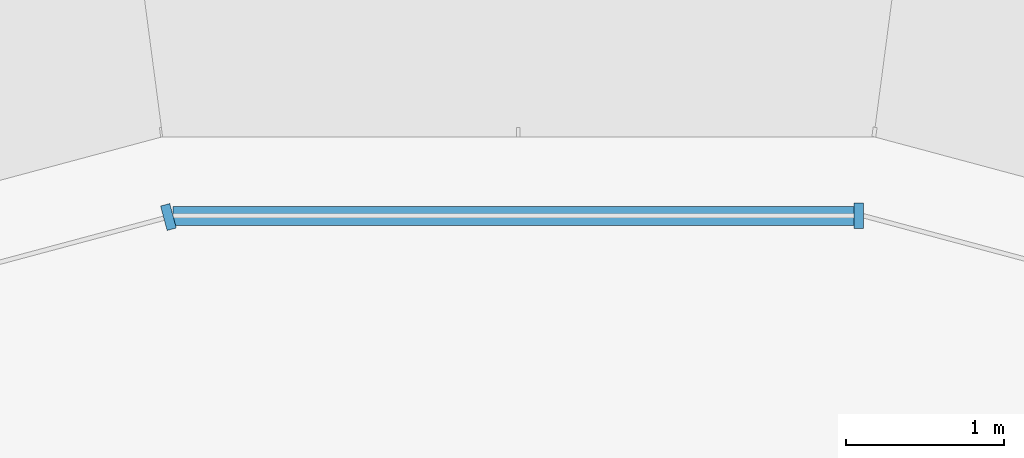
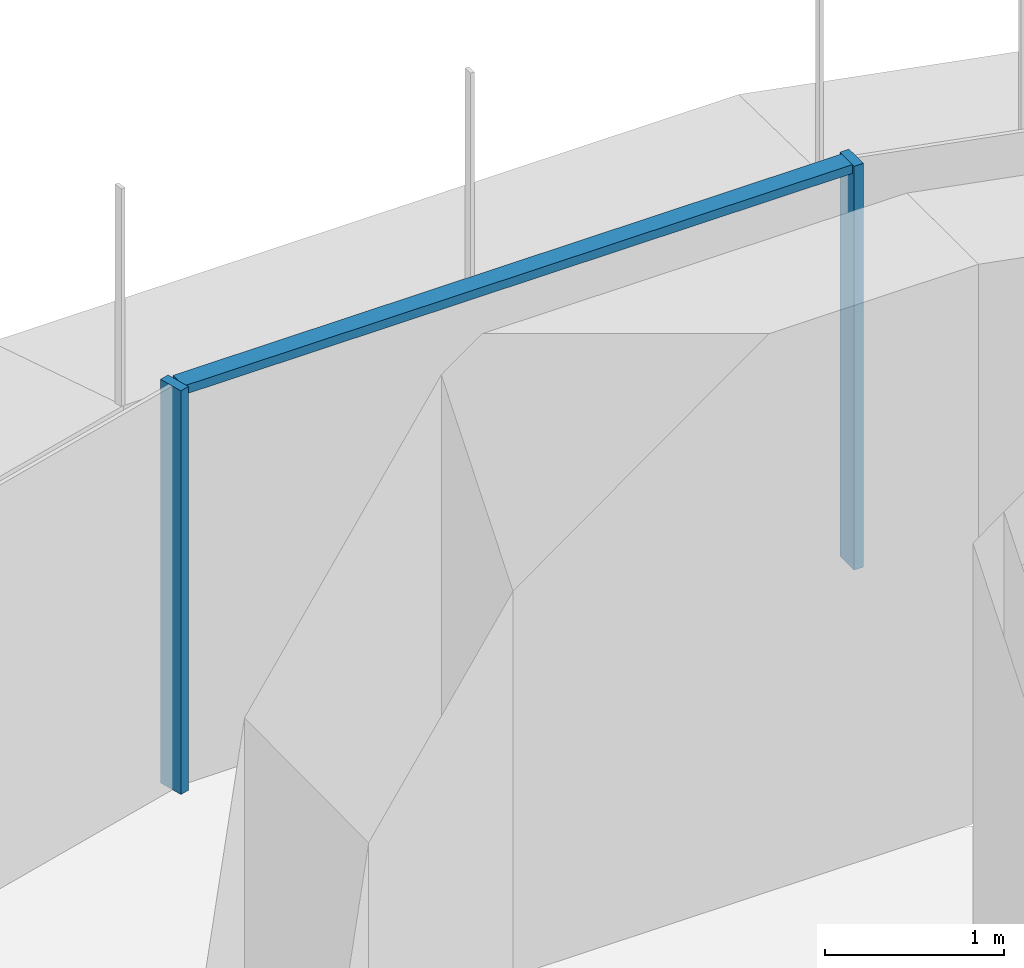
# One storey, part 11 of 22: 3 members, 2 elements without a shape of their own.
"""IFC4 building model written with IfcOpenShell, lengths in metres."""

from ifc_helpers import new_model, si_unit, direction, frame, origin, place, context, subcontext, project, spatial, polyline, outline, extrude, source, transform, mapped, material, type_object, element, aggregate, save


model = new_model("IFC4")

# Units and contexts
model_context = context("Model", 3, precision=1e-05, world=origin(), true_north=direction((0.0, 1.0)))
body_context = subcontext(model_context, "Body", "Model", "MODEL_VIEW")
ifc_project = project(units=[si_unit("LENGTHUNIT", "METRE"), si_unit("AREAUNIT", "SQUARE_METRE"), si_unit("VOLUMEUNIT", "CUBIC_METRE"), si_unit("PLANEANGLEUNIT", "RADIAN"), si_unit("MASSUNIT", "GRAM", prefix="KILO")], contexts=[model_context])

# Site, building, storey
site_placement = place(None, origin())
site = spatial("IfcSite", under=ifc_project, at=site_placement, CompositionType="ELEMENT")
building_placement = place(site_placement, origin())
building = spatial("IfcBuilding", under=site, at=building_placement, Name="Zarbagh Exchange Tower", CompositionType="ELEMENT")
storey_placement = place(building_placement, frame((0.0, 0.0, 105.60009765625)))
storey = spatial("IfcBuildingStorey", under=building, at=storey_placement, Name="L24", CompositionType="ELEMENT", Elevation=105.60009765625)

# Curtain wall, member
ifc_material_1 = material(Name="Anodised aluminium frame and glazing", Category="aluminium")
curtain_wall_type = type_object("IfcCurtainWallType", Name="CWA Ribbon glazing, lower zones", PredefinedType="NOTDEFINED", material=ifc_material_1)
curtain_wall_1_placement = place(storey_placement, origin())
curtain_wall_1 = element("IfcCurtainWall", 1, at=curtain_wall_1_placement, inside=storey, type_object=curtain_wall_type, Name="CWA57 curtain wall", PredefinedType="NOTDEFINED")
ifc_material_2 = material(Name="Anodised aluminium frame", Category="aluminium")
member_type_1 = type_object("IfcMemberType", Name="MUA Mullion, anodised aluminium frame", PredefinedType="MULLION", material=ifc_material_2)
shared_shape_1 = source(origin(), body_context, "Body", "SweptSolid", [
    extrude(outline(polyline([(0.0, -0.080078125), (0.06005859375, -0.080078125), (0.06005859375, 0.080078125), (0.0, 0.080078125), (0.0, -0.080078125)])), origin(), (0.0, 0.0, 1.0), 2.75),
])
placement = place(storey_placement, origin())
member_1 = element("IfcMember", 2, at=placement, type_object=member_type_1, Name="CWA57 mullion 1.1", PredefinedType="MULLION", context=body_context, shape_type="MappedRepresentation", body=[
    mapped(shared_shape_1, transform((2.18408203125, 31.0, 0.0), x_axis=(-1.0, 0.0, 0.0), y_axis=(0.0, -1.0, 0.0), z_axis=(0.0, 0.0, 1.0))),
])

curtain_wall_2_placement = place(storey_placement, origin())
curtain_wall_2 = element("IfcCurtainWall", 3, at=curtain_wall_2_placement, inside=storey, type_object=curtain_wall_type, Name="CWA53 curtain wall", PredefinedType="NOTDEFINED")
member_2 = element("IfcMember", 4, at=placement, type_object=member_type_1, Name="CWA53 mullion 1.1", PredefinedType="MULLION", context=body_context, shape_type="MappedRepresentation", body=[
    mapped(shared_shape_1, transform((-2.18408203125, 31.0, 0.0), x_axis=(-0.965924289636, -0.258824779902, 0.0), y_axis=(0.258824779902, -0.965924289636, 0.0), z_axis=(0.0, 0.0, 1.0))),
])
aggregate(curtain_wall_2, [member_2])

# Member
member_type_2 = type_object("IfcMemberType", Name="TRA Transom, anodised aluminium frame", PredefinedType="USERDEFINED", material=ifc_material_2)
shared_shape_2 = source(origin(), body_context, "Body", "SweptSolid", [
    extrude(outline(polyline([(-0.06005859375, -0.06005859375), (0.0, -0.06005859375), (0.0, 0.06005859375), (-0.06005859375, 0.06005859375), (-0.06005859375, -0.06005859375)])), origin(), (0.0, 0.0, 1.0), 4.308349609375),
])
member_3 = element("IfcMember", 5, at=placement, type_object=member_type_2, Name="CWA57 transom 1.1", ObjectType="TRANSOM", PredefinedType="USERDEFINED", context=body_context, shape_type="MappedRepresentation", body=[
    mapped(shared_shape_2, transform((2.124267578125, 31.0, 2.75), x_axis=(0.0, 0.0, 1.0), y_axis=(0.0, 1.0, 0.0), z_axis=(-1.0, 0.0, 0.0))),
])

aggregate(curtain_wall_1, [member_1, member_3])

save(model, "model.ifc")
